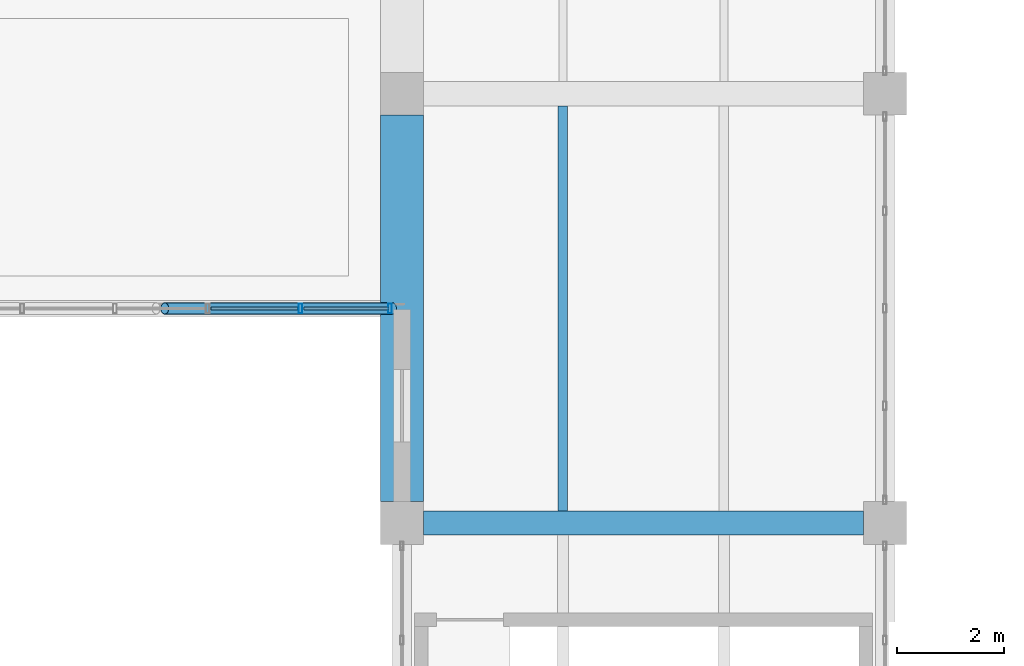
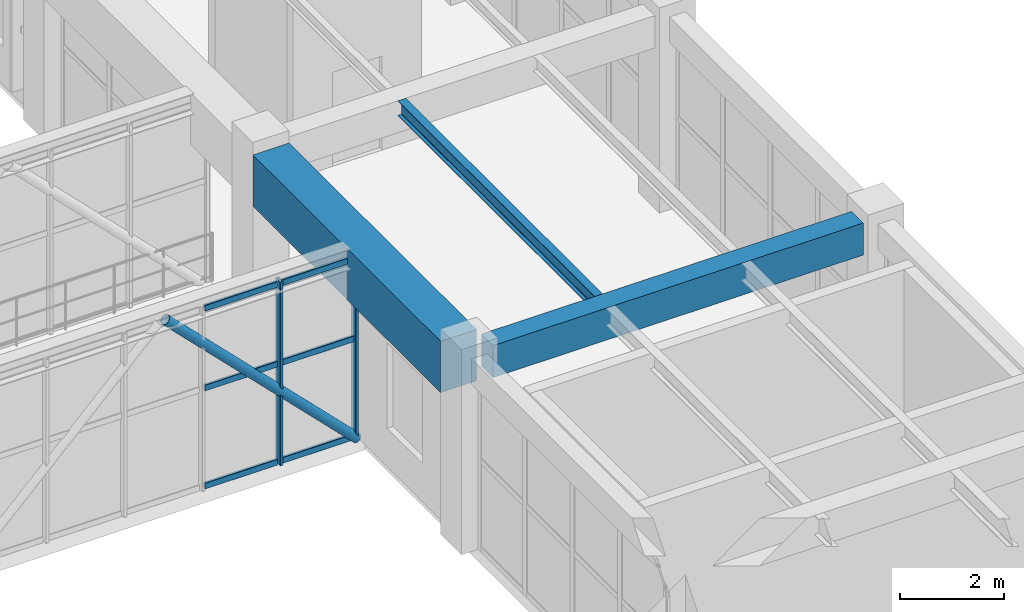
# One storey, part 65 of 178: 9 members, 3 beams, 1 element without a shape of its own.
"""IFC4 building model written with IfcOpenShell, lengths in metres."""

from ifc_helpers import new_model, si_unit, derived_unit, direction, frame, origin, origin_2d, place, context, subcontext, project, spatial, rectangle, hollow_rectangle, hollow_circle, i_section, extrude, material, material_profile, profile_set, type_object, element, aggregate, save


model = new_model("IFC4")

# Units and contexts
model_context = context("Model", 3, precision=1e-05, world=origin(), true_north=direction((0.0, 1.0)))
body_context = subcontext(model_context, "Body", "Model", "MODEL_VIEW")
ifc_project = project(units=[si_unit("LENGTHUNIT", "METRE"), si_unit("AREAUNIT", "SQUARE_METRE"), si_unit("VOLUMEUNIT", "CUBIC_METRE"), si_unit("PLANEANGLEUNIT", "RADIAN"), si_unit("MASSUNIT", "GRAM", prefix="KILO"), derived_unit("THERMALTRANSMITTANCEUNIT", [(si_unit("MASSUNIT", "GRAM", prefix="KILO"), 1), (si_unit("TIMEUNIT", "SECOND"), -3), (si_unit("THERMODYNAMICTEMPERATUREUNIT", "KELVIN"), -1)])], contexts=[model_context])

# Site, building, storey
site_placement = place(None, origin())
site = spatial("IfcSite", under=ifc_project, at=site_placement, CompositionType="ELEMENT")
building_placement = place(site_placement, origin())
building = spatial("IfcBuilding", under=site, at=building_placement, Name="Zhenchuan Archway Interchange", CompositionType="ELEMENT")
storey_placement = place(building_placement, frame((0.0, 0.0, 5.39990234375)))
storey = spatial("IfcBuildingStorey", under=building, at=storey_placement, Name="L01", CompositionType="ELEMENT", Elevation=5.39990234375)

# Beams
ifc_material_1 = material(Name="Concrete C40", Category="concrete")
ifc_material_profile_1 = material_profile(ifc_material_1, rectangle(XDim=0.449951171875, YDim=0.75, at=origin_2d()), Name="RC 450x750")
ifc_profile_set_1 = profile_set([ifc_material_profile_1], Name="Concrete C40")
beam_type_1 = type_object("IfcBeamType", Name="BM_RC_450x750", PredefinedType="BEAM", material=ifc_profile_set_1)
beam_1_placement = place(storey_placement, frame((99.39990234375, 48.0, 4.135009765625), z_axis=(1.0, 0.0, 0.0), x_axis=(0.0, 1.0, 0.0)))
element("IfcBeam", 1, at=beam_1_placement, inside=storey, type_object=beam_type_1, Name="Beam G:12-13 (L01)", PredefinedType="BEAM", context=body_context, shape_type="SweptSolid", body=[
    extrude(rectangle(XDim=0.449951171875, YDim=0.75, at=origin_2d()), origin(), (0.0, 0.0, 1.0), 8.2001953125),
])
ifc_material_2 = material(Name="Concrete C50", Category="concrete")
ifc_material_profile_2 = material_profile(ifc_material_2, rectangle(XDim=0.800048828125, YDim=1.199951171875, at=origin_2d()), Name="RC 800x1200")
ifc_profile_set_2 = profile_set([ifc_material_profile_2], Name="Concrete C50")
beam_type_2 = type_object("IfcBeamType", Name="BM_RC_800x1200", PredefinedType="BEAM", material=ifc_profile_set_2)
beam_2_placement = place(storey_placement, frame((99.0, 48.39990234375, 3.91015625), z_axis=(0.0, 1.0, 0.0), x_axis=(-1.0, 0.0, 0.0)))
element("IfcBeam", 2, at=beam_2_placement, inside=storey, type_object=beam_type_2, Name="Beam 12:G-H (L01)", PredefinedType="BEAM", context=body_context, shape_type="SweptSolid", body=[
    extrude(rectangle(XDim=0.800048828125, YDim=1.199951171875, at=origin_2d()), origin(), (0.0, 0.0, 1.0), 7.2001953125),
])

# Curtain wall, members
ifc_material_3 = material(Name="Anodised Aluminium", Category="aluminium")
curtain_wall_type = type_object("IfcCurtainWallType", Name="CW_UNIT_4", PredefinedType="NOTDEFINED", material=ifc_material_3)
curtain_wall_placement = place(storey_placement, origin())
curtain_wall = element("IfcCurtainWall", 3, at=curtain_wall_placement, inside=storey, type_object=curtain_wall_type, Name="Unitised curtain wall CW:L01:075", PredefinedType="NOTDEFINED")
ifc_material_profile_3 = material_profile(ifc_material_3, hollow_rectangle(XDim=0.070068359375, YDim=0.179931640625, WallThickness=0.00390625, InnerFilletRadius=0.00390625, OuterFilletRadius=0.008056640625, at=origin_2d()), Name="ALU 180x70x4")
ifc_profile_set_3 = profile_set([ifc_material_profile_3], Name="Anodised Aluminium")
member_type_1 = type_object("IfcMemberType", Name="CW_MUL_180", PredefinedType="MULLION", material=ifc_profile_set_3)
member_1_placement = place(storey_placement, frame((98.780029296875, 52.0, 0.0), z_axis=(0.0, 0.0, 1.0), x_axis=(1.0, 0.0, 0.0)))
member_1 = element("IfcMember", 4, at=member_1_placement, type_object=member_type_1, Name="CW:L01:075 mullion 0", PredefinedType="MULLION", context=body_context, shape_type="SweptSolid", body=[
    extrude(hollow_rectangle(XDim=0.070068359375, YDim=0.179931640625, WallThickness=0.00390625, InnerFilletRadius=0.00390625, OuterFilletRadius=0.008056640625, at=origin_2d()), origin(), (0.0, 0.0, 1.0), 4.300048828125),
])
member_2_placement = place(storey_placement, frame((97.111083984375, 52.0, 0.0), z_axis=(0.0, 0.0, 1.0), x_axis=(1.0, 0.0, 0.0)))
member_2 = element("IfcMember", 5, at=member_2_placement, type_object=member_type_1, Name="CW:L01:075 mullion 1", PredefinedType="MULLION", context=body_context, shape_type="SweptSolid", body=[
    extrude(hollow_rectangle(XDim=0.070068359375, YDim=0.179931640625, WallThickness=0.00390625, InnerFilletRadius=0.00390625, OuterFilletRadius=0.008056640625, at=origin_2d()), origin(), (0.0, 0.0, 1.0), 4.300048828125),
])
ifc_material_profile_4 = material_profile(ifc_material_3, hollow_rectangle(XDim=0.06005859375, YDim=0.139892578125, WallThickness=0.00341796875, InnerFilletRadius=0.00341796875, OuterFilletRadius=0.007080078125, at=origin_2d()), Name="ALU 140x60x3.5")
ifc_profile_set_4 = profile_set([ifc_material_profile_4], Name="Anodised Aluminium")
member_type_2 = type_object("IfcMemberType", Name="CW_TRN_140", PredefinedType="USERDEFINED", material=ifc_profile_set_4)
member_3_placement = place(storey_placement, frame((98.760009765625, 52.0, 0.06005859375), z_axis=(-1.0, 0.0, 0.0), x_axis=(0.0, -1.0, 0.0)))
member_3 = element("IfcMember", 6, at=member_3_placement, type_object=member_type_2, Name="CW:L01:075 transom 0-1", ObjectType="TRANSOM", PredefinedType="USERDEFINED", context=body_context, shape_type="SweptSolid", body=[
    extrude(hollow_rectangle(XDim=0.06005859375, YDim=0.139892578125, WallThickness=0.00341796875, InnerFilletRadius=0.00341796875, OuterFilletRadius=0.007080078125, at=origin_2d()), origin(), (0.0, 0.0, 1.0), 1.5888671875),
])
member_4_placement = place(storey_placement, frame((98.760009765625, 52.0, 2.35400390625), z_axis=(-1.0, 0.0, 0.0), x_axis=(0.0, -1.0, 0.0)))
member_4 = element("IfcMember", 7, at=member_4_placement, type_object=member_type_2, Name="CW:L01:075 transom 0-2", ObjectType="TRANSOM", PredefinedType="USERDEFINED", context=body_context, shape_type="SweptSolid", body=[
    extrude(hollow_rectangle(XDim=0.06005859375, YDim=0.139892578125, WallThickness=0.00341796875, InnerFilletRadius=0.00341796875, OuterFilletRadius=0.007080078125, at=origin_2d()), origin(), (0.0, 0.0, 1.0), 1.5888671875),
])
member_5_placement = place(storey_placement, frame((98.760009765625, 52.0, 4.22021484375), z_axis=(-1.0, 0.0, 0.0), x_axis=(0.0, -1.0, 0.0)))
member_5 = element("IfcMember", 8, at=member_5_placement, type_object=member_type_2, Name="CW:L01:075 transom 0-3", ObjectType="TRANSOM", PredefinedType="USERDEFINED", context=body_context, shape_type="SweptSolid", body=[
    extrude(hollow_rectangle(XDim=0.06005859375, YDim=0.139892578125, WallThickness=0.00341796875, InnerFilletRadius=0.00341796875, OuterFilletRadius=0.007080078125, at=origin_2d()), origin(), (0.0, 0.0, 1.0), 1.5888671875),
])
member_6_placement = place(storey_placement, frame((97.051025390625, 52.0, 0.06005859375), z_axis=(-1.0, 0.0, 0.0), x_axis=(0.0, -1.0, 0.0)))
member_6 = element("IfcMember", 9, at=member_6_placement, type_object=member_type_2, Name="CW:L01:075 transom 1-1", ObjectType="TRANSOM", PredefinedType="USERDEFINED", context=body_context, shape_type="SweptSolid", body=[
    extrude(hollow_rectangle(XDim=0.06005859375, YDim=0.139892578125, WallThickness=0.00341796875, InnerFilletRadius=0.00341796875, OuterFilletRadius=0.007080078125, at=origin_2d()), origin(), (0.0, 0.0, 1.0), 1.60888671875),
])
member_7_placement = place(storey_placement, frame((97.051025390625, 52.0, 2.35400390625), z_axis=(-1.0, 0.0, 0.0), x_axis=(0.0, -1.0, 0.0)))
member_7 = element("IfcMember", 10, at=member_7_placement, type_object=member_type_2, Name="CW:L01:075 transom 1-2", ObjectType="TRANSOM", PredefinedType="USERDEFINED", context=body_context, shape_type="SweptSolid", body=[
    extrude(hollow_rectangle(XDim=0.06005859375, YDim=0.139892578125, WallThickness=0.00341796875, InnerFilletRadius=0.00341796875, OuterFilletRadius=0.007080078125, at=origin_2d()), origin(), (0.0, 0.0, 1.0), 1.60888671875),
])
member_8_placement = place(storey_placement, frame((97.051025390625, 52.0, 4.22021484375), z_axis=(-1.0, 0.0, 0.0), x_axis=(0.0, -1.0, 0.0)))
member_8 = element("IfcMember", 11, at=member_8_placement, type_object=member_type_2, Name="CW:L01:075 transom 1-3", ObjectType="TRANSOM", PredefinedType="USERDEFINED", context=body_context, shape_type="SweptSolid", body=[
    extrude(hollow_rectangle(XDim=0.06005859375, YDim=0.139892578125, WallThickness=0.00341796875, InnerFilletRadius=0.00341796875, OuterFilletRadius=0.007080078125, at=origin_2d()), origin(), (0.0, 0.0, 1.0), 1.60888671875),
])
aggregate(curtain_wall, [member_1, member_2, member_3, member_4, member_5, member_6, member_7, member_8])

# Beam
ifc_material_4 = material(Name="Steel Q355", Category="steel")
ifc_material_profile_5 = material_profile(ifc_material_4, i_section(OverallWidth=0.175048828125, OverallDepth=0.35009765625, WebThickness=0.007080078125, FlangeThickness=0.010986328125, FilletRadius=0.013916015625, at=origin_2d()), Name="HN 350x175")
ifc_profile_set_5 = profile_set([ifc_material_profile_5], Name="Steel Q355")
beam_type_3 = type_object("IfcBeamType", Name="JST_STL_HN350", PredefinedType="JOIST", material=ifc_profile_set_5)
beam_3_placement = place(storey_placement, frame((102.0, 48.22509765625, 4.335205078125), z_axis=(0.0, 1.0, 0.0), x_axis=(-1.0, 0.0, 0.0)))
element("IfcBeam", 12, at=beam_3_placement, inside=storey, type_object=beam_type_3, Name="Secondary joist 12-13/G-H #1 (L01)", PredefinedType="JOIST", context=body_context, shape_type="SweptSolid", body=[
    extrude(i_section(OverallWidth=0.175048828125, OverallDepth=0.35009765625, WebThickness=0.007080078125, FlangeThickness=0.010986328125, FilletRadius=0.013916015625, at=origin_2d()), origin(), (0.0, 0.0, 1.0), 7.5498046875),
])

# Member
ifc_material_profile_6 = material_profile(ifc_material_4, hollow_circle(Radius=0.109619140625, WallThickness=0.008056640625, at=origin_2d()), Name="CHS 219x8")
ifc_profile_set_6 = profile_set([ifc_material_profile_6], Name="Steel Q355")
member_type_3 = type_object("IfcMemberType", Name="MB_CHS219", PredefinedType="BRACE", material=ifc_profile_set_6)
member_9_placement = place(storey_placement, frame((98.820068359375, 52.0, 0.0), z_axis=(-0.706272605819, 0.0, 0.707939973634), x_axis=(0.0, -1.0, 0.0)))
element("IfcMember", 13, at=member_9_placement, inside=storey, type_object=member_type_3, Name="Footbridge truss diagonal E-SR", PredefinedType="BRACE", context=body_context, shape_type="SweptSolid", body=[
    extrude(hollow_circle(Radius=0.109619140625, WallThickness=0.008056640625, at=origin_2d()), origin(), (0.0, 0.0, 1.0), 6.00341796875),
])

save(model, "model.ifc")
